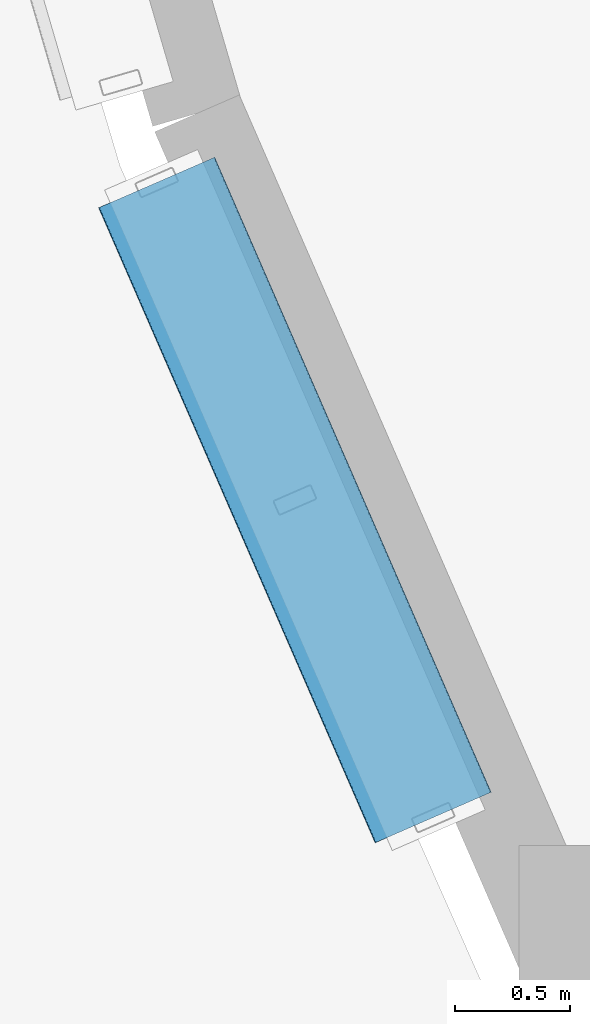
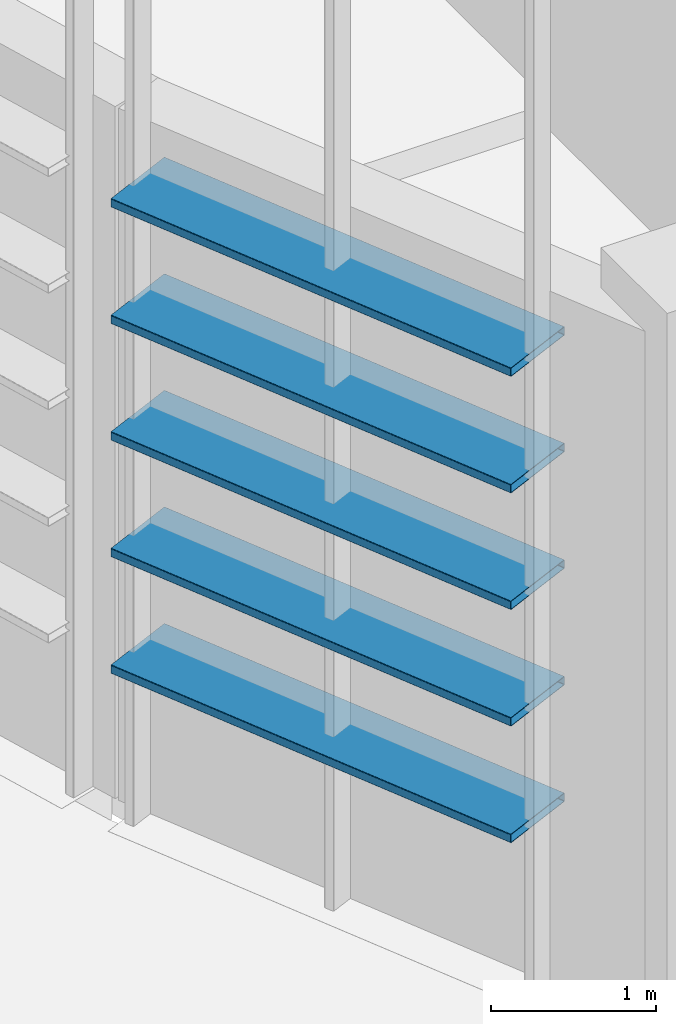
# One storey, part 70 of 372: 5 members.
"""IFC4 building model written with IfcOpenShell, lengths in metres."""

from ifc_helpers import new_model, si_unit, direction, frame, origin, origin_2d, place, context, subcontext, project, spatial, hollow_rectangle, extrude, material, material_profile, profile_set, type_object, element, save


model = new_model("IFC4")

# Units and contexts
model_context = context("Model", 3, precision=1e-05, world=origin(), true_north=direction((0.0, 1.0)))
body_context = subcontext(model_context, "Body", "Model", "MODEL_VIEW")
ifc_project = project(units=[si_unit("LENGTHUNIT", "METRE"), si_unit("AREAUNIT", "SQUARE_METRE"), si_unit("VOLUMEUNIT", "CUBIC_METRE"), si_unit("PLANEANGLEUNIT", "RADIAN"), si_unit("MASSUNIT", "GRAM", prefix="KILO")], contexts=[model_context])

# Site, building, storey
site_placement = place(None, origin())
site = spatial("IfcSite", under=ifc_project, at=site_placement, CompositionType="ELEMENT")
building_placement = place(site_placement, origin())
building = spatial("IfcBuilding", under=site, at=building_placement, Name="Kaelora Sail Theatre", CompositionType="ELEMENT")
storey_placement = place(building_placement, origin())
storey = spatial("IfcBuildingStorey", under=building, at=storey_placement, Name="L00", CompositionType="ELEMENT", Elevation=0.0)

# Members
ifc_material = material(Name="Anodised aluminium 6063-T6", Category="aluminium")
ifc_material_profile = material_profile(ifc_material, hollow_rectangle(XDim=0.550048828125, YDim=0.06494140625, WallThickness=0.00390625, InnerFilletRadius=0.00390625, OuterFilletRadius=0.008056640625, at=origin_2d()), Name="LOUVRE 550x65x4")
ifc_profile_set = profile_set([ifc_material_profile], Name="Anodised aluminium 6063-T6")
member_type = type_object("IfcMemberType", Name="ARC-MEM-LVR-300", PredefinedType="USERDEFINED", material=ifc_profile_set)
for number, where, z_axis, x_axis, name in (
    (1, (28.999755859375, 33.605224609375, 1.25), (-0.399228207285, 0.91685159023, 0.0), (-0.91685159023, -0.399228207285, 0.0), "Main Theatre Sail Drum horizontal solar louvre C17-01"),
    (2, (28.999755859375, 33.605224609375, 2.110107421875), (-0.399228207285, 0.91685159023, 0.0), (-0.91685159023, -0.399228207285, 0.0), "Main Theatre Sail Drum horizontal solar louvre C17-02"),
    (3, (28.999755859375, 33.605224609375, 2.969970703125), (-0.399228207285, 0.91685159023, 0.0), (-0.91685159023, -0.399228207285, 0.0), "Main Theatre Sail Drum horizontal solar louvre C17-03"),
    (4, (28.999755859375, 33.605224609375, 3.830078125), (-0.399228207285, 0.91685159023, 0.0), (-0.91685159023, -0.399228207285, 0.0), "Main Theatre Sail Drum horizontal solar louvre C17-04"),
    (5, (28.999755859375, 33.605224609375, 4.68994140625), (-0.399228207285, 0.91685159023, 0.0), (-0.91685159023, -0.399228207285, 0.0), "Main Theatre Sail Drum horizontal solar louvre C17-05"),
):
    element("IfcMember", number, at=place(storey_placement, frame(where, z_axis=z_axis, x_axis=x_axis)), inside=storey, type_object=member_type, Name=name, ObjectType="LOUVRE", PredefinedType="USERDEFINED", context=body_context, shape_type="SweptSolid", body=[
        extrude(hollow_rectangle(XDim=0.550048828125, YDim=0.06494140625, WallThickness=0.00390625, InnerFilletRadius=0.00390625, OuterFilletRadius=0.008056640625, at=origin_2d()), origin(), (0.0, 0.0, 1.0), 3.00439453125),
    ])

save(model, "model.ifc")
